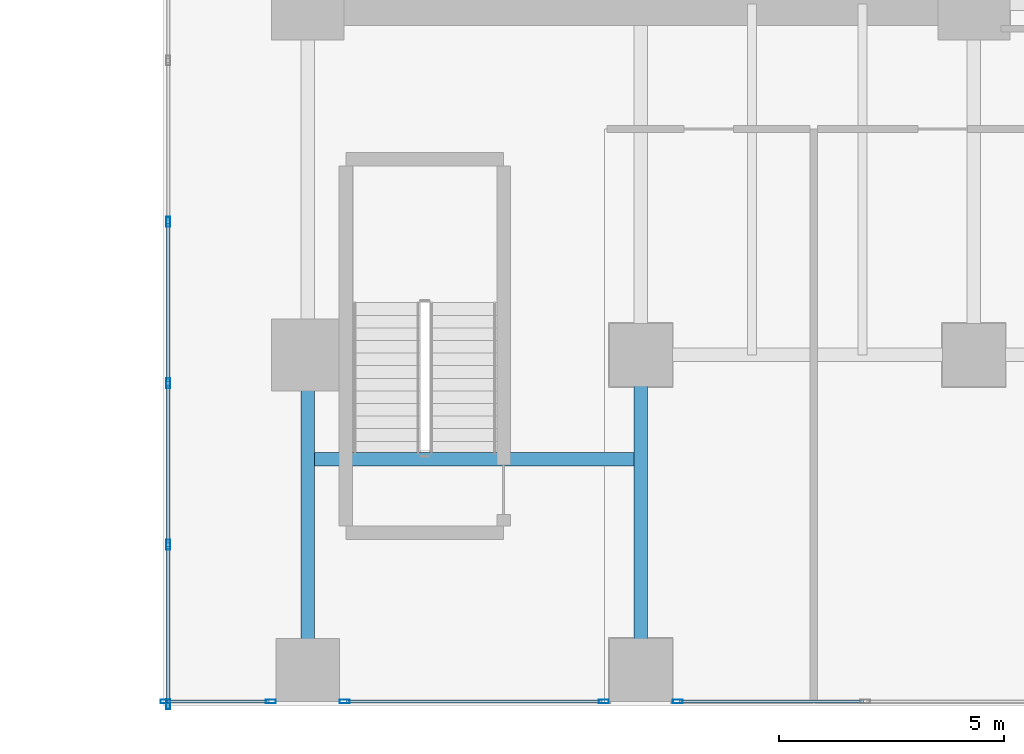
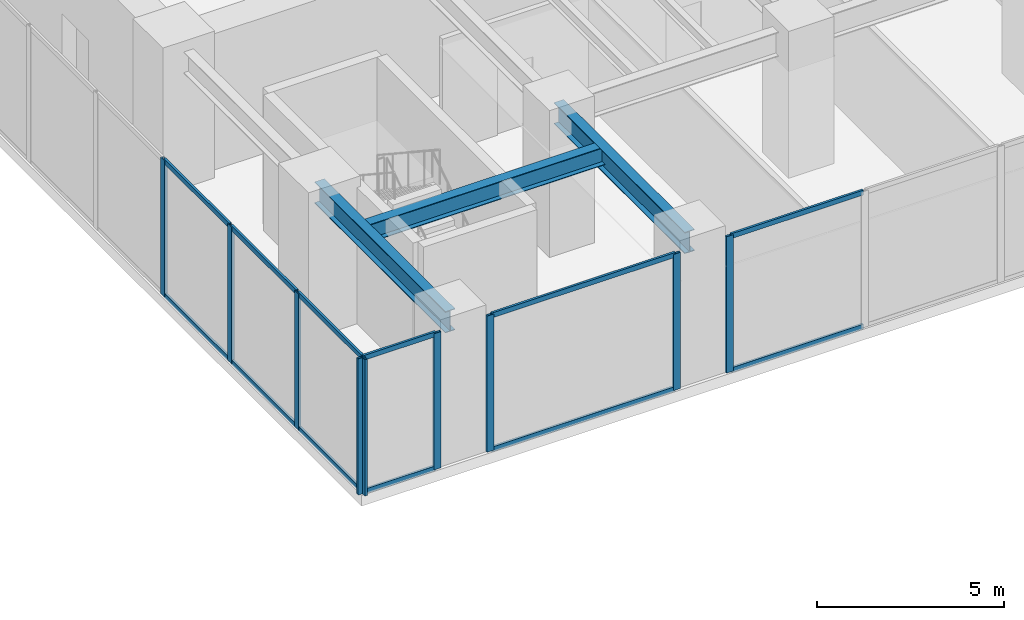
# One storey, part 8 of 33: 21 members, 3 beams, 4 elements without a shape of their own.
"""IFC4 building model written with IfcOpenShell, lengths in metres."""

from ifc_helpers import new_model, si_unit, direction, frame, origin, origin_2d, place, context, subcontext, project, spatial, hollow_rectangle, i_section, extrude, source, transform, mapped, material, layer, layer_set, material_profile, profile_set, type_object, type_shapes, element, aggregate, save


model = new_model("IFC4")

# Units and contexts
model_context = context("Model", 3, precision=1e-05, world=origin(), true_north=direction((0.0, 1.0)))
body_context = subcontext(model_context, "Body", "Model", "MODEL_VIEW")
ifc_project = project(units=[si_unit("LENGTHUNIT", "METRE"), si_unit("AREAUNIT", "SQUARE_METRE"), si_unit("VOLUMEUNIT", "CUBIC_METRE"), si_unit("PLANEANGLEUNIT", "RADIAN"), si_unit("MASSUNIT", "GRAM", prefix="KILO")], contexts=[model_context])

# Site, building, storey
site_placement = place(None, origin())
site = spatial("IfcSite", under=ifc_project, at=site_placement, CompositionType="ELEMENT")
building_placement = place(site_placement, origin())
building = spatial("IfcBuilding", under=site, at=building_placement, Name="Haelvirn Gate Laboratories", CompositionType="ELEMENT")
storey_placement = place(building_placement, frame((0.0, 0.0, 10.199951171875)))
storey = spatial("IfcBuildingStorey", under=building, at=storey_placement, Name="L03", CompositionType="ELEMENT", Elevation=10.199951171875)

# Beams
ifc_material_1 = material(Name="Steel SM355", Category="steel")
ifc_material_profile_1 = material_profile(ifc_material_1, i_section(OverallWidth=0.300048828125, OverallDepth=0.699951171875, WebThickness=0.012939453125, FlangeThickness=0.02392578125, at=origin_2d()), Name="H-700x300x13x24")
ifc_profile_set_1 = profile_set([ifc_material_profile_1], Name="Steel SM355")
beam_type_1 = type_object("IfcBeamType", Name="BM-G-700", PredefinedType="BEAM", material=ifc_profile_set_1)
shared_shape_1 = source(origin(), body_context, "Body", "SweptSolid", [
    extrude(i_section(OverallWidth=0.300048828125, OverallDepth=0.699951171875, WebThickness=0.012939453125, FlangeThickness=0.02392578125, at=origin_2d()), origin(), (0.0, 0.0, 1.0), 7.0),
])
type_shapes(beam_type_1, [shared_shape_1])
for number, where, z_axis, x_axis, name in (
    (1, (52.60009765625, 0.0, 4.10009765625), (0.0, 1.0, 0.0), (-1.0, 0.0, 0.0), "L03 Stair ST4 West Trimmer Girder"),
    (2, (60.0, 0.0, 4.10009765625), (0.0, 1.0, 0.0), (-1.0, 0.0, 0.0), "L03 Stair ST4 East Trimmer Girder"),
):
    element("IfcBeam", number, at=place(storey_placement, frame(where, z_axis=z_axis, x_axis=x_axis)), inside=storey, type_object=beam_type_1, Name=name, PredefinedType="BEAM", context=body_context, shape_type="MappedRepresentation", body=[
        mapped(shared_shape_1, transform((0.0, 0.0, 0.0), scale=1.0)),
    ])
ifc_material_profile_2 = material_profile(ifc_material_1, i_section(OverallWidth=0.300048828125, OverallDepth=0.587890625, WebThickness=0.011962890625, FlangeThickness=0.02001953125, at=origin_2d()), Name="H-588x300x12x20")
ifc_profile_set_2 = profile_set([ifc_material_profile_2], Name="Steel SM355")
beam_type_2 = type_object("IfcBeamType", Name="BM-G-588", PredefinedType="BEAM", material=ifc_profile_set_2)
shared_shape_2 = source(origin(), body_context, "Body", "SweptSolid", [
    extrude(i_section(OverallWidth=0.300048828125, OverallDepth=0.587890625, WebThickness=0.011962890625, FlangeThickness=0.02001953125, at=origin_2d()), origin(), (0.0, 0.0, 1.0), 7.39990234375),
])
type_shapes(beam_type_2, [shared_shape_2])
beam_placement = place(storey_placement, frame((52.60009765625, 4.679931640625, 4.156005859375), z_axis=(1.0, 0.0, 0.0), x_axis=(0.0, 1.0, 0.0)))
element("IfcBeam", 3, at=beam_placement, inside=storey, type_object=beam_type_2, Name="L03 Stair ST4 Landing Header", PredefinedType="BEAM", context=body_context, shape_type="MappedRepresentation", body=[
    mapped(shared_shape_2, transform((0.0, 0.0, 0.0), scale=1.0)),
])

# Curtain wall, members
ifc_material_2 = material(Name="Anodised bronze unitised aluminium & triple low-E glass", Category="aluminium")
ifc_layer = layer(ifc_material_2, 0.18798828125, Name="CW-SYS-1")
ifc_layer_set = layer_set([ifc_layer], Name="Anodised bronze unitised aluminium & triple low-E glass")
curtain_wall_type = type_object("IfcCurtainWallType", Name="CW-SYS-1", PredefinedType="NOTDEFINED", material=ifc_layer_set)
curtain_wall_1_placement = place(storey_placement, origin())
curtain_wall_1 = element("IfcCurtainWall", 4, at=curtain_wall_1_placement, inside=storey, type_object=curtain_wall_type, Name="L03 Unitised Curtain Wall CW-L03-P1-E07", PredefinedType="NOTDEFINED")
ifc_material_3 = material(Name="Extruded aluminium 6063-T6 (anodised bronze)", Category="aluminium")
ifc_material_profile_3 = material_profile(ifc_material_3, hollow_rectangle(XDim=0.070068359375, YDim=0.159912109375, WallThickness=0.0048828125, at=origin_2d()), Name="CWT-160x70x5")
ifc_profile_set_3 = profile_set([ifc_material_profile_3], Name="Extruded aluminium 6063-T6 (anodised bronze)")
member_type_1 = type_object("IfcMemberType", Name="CWT-T160", PredefinedType="USERDEFINED", material=ifc_profile_set_3)
shared_shape_3 = source(origin(), body_context, "Body", "SweptSolid", [
    extrude(hollow_rectangle(XDim=0.070068359375, YDim=0.159912109375, WallThickness=0.0048828125, at=origin_2d()), origin(), (0.0, 0.0, 1.0), 3.465576171875),
])
member_1_placement = place(storey_placement, frame((49.5, 2.74560546875, 0.03515625), z_axis=(0.0, -1.0, 0.0), x_axis=(1.0, 0.0, 0.0)))
member_1 = element("IfcMember", 5, at=member_1_placement, type_object=member_type_1, Name="CW1 transom 14.1", ObjectType="TRANSOM", PredefinedType="USERDEFINED", context=body_context, shape_type="MappedRepresentation", body=[
    mapped(shared_shape_3, transform((0.0, 0.0, 0.0), scale=1.0)),
])
member_2_placement = place(storey_placement, frame((49.5, 2.74560546875, 4.4150390625), z_axis=(0.0, -1.0, 0.0), x_axis=(1.0, 0.0, 0.0)))
member_2 = element("IfcMember", 6, at=member_2_placement, type_object=member_type_1, Name="CW1 transom 14.2", ObjectType="TRANSOM", PredefinedType="USERDEFINED", context=body_context, shape_type="MappedRepresentation", body=[
    mapped(shared_shape_3, transform((0.0, 0.0, 0.0), scale=1.0)),
])
shared_shape_4 = source(origin(), body_context, "Body", "SweptSolid", [
    extrude(hollow_rectangle(XDim=0.070068359375, YDim=0.159912109375, WallThickness=0.0048828125, at=origin_2d()), origin(), (0.0, 0.0, 1.0), 3.505859375),
])
member_3_placement = place(storey_placement, frame((49.5, 9.917236328125, 0.03515625), z_axis=(0.0, -1.0, 0.0), x_axis=(1.0, 0.0, 0.0)))
member_3 = element("IfcMember", 7, at=member_3_placement, type_object=member_type_1, Name="CW1 transom 12.1", ObjectType="TRANSOM", PredefinedType="USERDEFINED", context=body_context, shape_type="MappedRepresentation", body=[
    mapped(shared_shape_4, transform((0.0, 0.0, 0.0), scale=1.0)),
])
member_4_placement = place(storey_placement, frame((49.5, 9.917236328125, 4.4150390625), z_axis=(0.0, -1.0, 0.0), x_axis=(1.0, 0.0, 0.0)))
member_4 = element("IfcMember", 8, at=member_4_placement, type_object=member_type_1, Name="CW1 transom 12.2", ObjectType="TRANSOM", PredefinedType="USERDEFINED", context=body_context, shape_type="MappedRepresentation", body=[
    mapped(shared_shape_4, transform((0.0, 0.0, 0.0), scale=1.0)),
])
member_5_placement = place(storey_placement, frame((49.5, 6.33154296875, 0.03515625), z_axis=(0.0, -1.0, 0.0), x_axis=(1.0, 0.0, 0.0)))
member_5 = element("IfcMember", 9, at=member_5_placement, type_object=member_type_1, Name="CW1 transom 13.1", ObjectType="TRANSOM", PredefinedType="USERDEFINED", context=body_context, shape_type="MappedRepresentation", body=[
    mapped(shared_shape_4, transform((0.0, 0.0, 0.0), scale=1.0)),
])
member_6_placement = place(storey_placement, frame((49.5, 6.33154296875, 4.4150390625), z_axis=(0.0, -1.0, 0.0), x_axis=(1.0, 0.0, 0.0)))
member_6 = element("IfcMember", 10, at=member_6_placement, type_object=member_type_1, Name="CW1 transom 13.2", ObjectType="TRANSOM", PredefinedType="USERDEFINED", context=body_context, shape_type="MappedRepresentation", body=[
    mapped(shared_shape_4, transform((0.0, 0.0, 0.0), scale=1.0)),
])

curtain_wall_2_placement = place(storey_placement, origin())
curtain_wall_2 = element("IfcCurtainWall", 11, at=curtain_wall_2_placement, inside=storey, type_object=curtain_wall_type, Name="L03 Unitised Curtain Wall CW-L03-P1-E00-1-S1", PredefinedType="NOTDEFINED")
shared_shape_5 = source(origin(), body_context, "Body", "SweptSolid", [
    extrude(hollow_rectangle(XDim=0.070068359375, YDim=0.159912109375, WallThickness=0.0048828125, at=origin_2d()), origin(), (0.0, 0.0, 1.0), 2.260009765625),
])
member_7_placement = place(storey_placement, frame((49.47998046875, -0.699951171875, 0.03515625), z_axis=(1.0, 0.0, 0.0), x_axis=(0.0, 1.0, 0.0)))
member_7 = element("IfcMember", 12, at=member_7_placement, type_object=member_type_1, Name="CW1 transom 1.1", ObjectType="TRANSOM", PredefinedType="USERDEFINED", context=body_context, shape_type="MappedRepresentation", body=[
    mapped(shared_shape_5, transform((0.0, 0.0, 0.0), scale=1.0)),
])
member_8_placement = place(storey_placement, frame((49.47998046875, -0.699951171875, 4.4150390625), z_axis=(1.0, 0.0, 0.0), x_axis=(0.0, 1.0, 0.0)))
member_8 = element("IfcMember", 13, at=member_8_placement, type_object=member_type_1, Name="CW1 transom 1.2", ObjectType="TRANSOM", PredefinedType="USERDEFINED", context=body_context, shape_type="MappedRepresentation", body=[
    mapped(shared_shape_5, transform((0.0, 0.0, 0.0), scale=1.0)),
])

curtain_wall_3_placement = place(storey_placement, origin())
curtain_wall_3 = element("IfcCurtainWall", 14, at=curtain_wall_3_placement, inside=storey, type_object=curtain_wall_type, Name="L03 Unitised Curtain Wall CW-L03-P1-E00-1-S2", PredefinedType="NOTDEFINED")
shared_shape_6 = source(origin(), body_context, "Body", "SweptSolid", [
    extrude(hollow_rectangle(XDim=0.070068359375, YDim=0.159912109375, WallThickness=0.0048828125, at=origin_2d()), origin(), (0.0, 0.0, 1.0), 5.679931640625),
])
member_9_placement = place(storey_placement, frame((53.4599609375, -0.699951171875, 0.03515625), z_axis=(1.0, 0.0, 0.0), x_axis=(0.0, 1.0, 0.0)))
member_9 = element("IfcMember", 15, at=member_9_placement, type_object=member_type_1, Name="CW1 transom 1.1", ObjectType="TRANSOM", PredefinedType="USERDEFINED", context=body_context, shape_type="MappedRepresentation", body=[
    mapped(shared_shape_6, transform((0.0, 0.0, 0.0), scale=1.0)),
])
member_10_placement = place(storey_placement, frame((53.4599609375, -0.699951171875, 4.4150390625), z_axis=(1.0, 0.0, 0.0), x_axis=(0.0, 1.0, 0.0)))
member_10 = element("IfcMember", 16, at=member_10_placement, type_object=member_type_1, Name="CW1 transom 1.2", ObjectType="TRANSOM", PredefinedType="USERDEFINED", context=body_context, shape_type="MappedRepresentation", body=[
    mapped(shared_shape_6, transform((0.0, 0.0, 0.0), scale=1.0)),
])

curtain_wall_4_placement = place(storey_placement, origin())
curtain_wall_4 = element("IfcCurtainWall", 17, at=curtain_wall_4_placement, inside=storey, type_object=curtain_wall_type, Name="L03 Unitised Curtain Wall CW-L03-P1-E00-1-S3", PredefinedType="NOTDEFINED")
shared_shape_7 = source(origin(), body_context, "Body", "SweptSolid", [
    extrude(hollow_rectangle(XDim=0.070068359375, YDim=0.159912109375, WallThickness=0.0048828125, at=origin_2d()), origin(), (0.0, 0.0, 1.0), 4.086669921875),
])
type_shapes(member_type_1, [shared_shape_3, shared_shape_4, shared_shape_5, shared_shape_6, shared_shape_7])
member_11_placement = place(storey_placement, frame((60.860107421875, -0.699951171875, 0.03515625), z_axis=(1.0, 0.0, 0.0), x_axis=(0.0, 1.0, 0.0)))
member_11 = element("IfcMember", 18, at=member_11_placement, type_object=member_type_1, Name="CW1 transom 1.1", ObjectType="TRANSOM", PredefinedType="USERDEFINED", context=body_context, shape_type="MappedRepresentation", body=[
    mapped(shared_shape_7, transform((0.0, 0.0, 0.0), scale=1.0)),
])
member_12_placement = place(storey_placement, frame((60.860107421875, -0.699951171875, 4.4150390625), z_axis=(1.0, 0.0, 0.0), x_axis=(0.0, 1.0, 0.0)))
member_12 = element("IfcMember", 19, at=member_12_placement, type_object=member_type_1, Name="CW1 transom 1.2", ObjectType="TRANSOM", PredefinedType="USERDEFINED", context=body_context, shape_type="MappedRepresentation", body=[
    mapped(shared_shape_7, transform((0.0, 0.0, 0.0), scale=1.0)),
])

# Member
ifc_material_profile_4 = material_profile(ifc_material_3, hollow_rectangle(XDim=0.080078125, YDim=0.219970703125, WallThickness=0.006103515625, at=origin_2d()), Name="CWM-220x80x6")
ifc_profile_set_4 = profile_set([ifc_material_profile_4], Name="Extruded aluminium 6063-T6 (anodised bronze)")
member_type_2 = type_object("IfcMemberType", Name="CWM-T220", PredefinedType="MULLION", material=ifc_profile_set_4)
shared_shape_8 = source(origin(), body_context, "Body", "SweptSolid", [
    extrude(hollow_rectangle(XDim=0.080078125, YDim=0.219970703125, WallThickness=0.006103515625, at=origin_2d()), origin(), (0.0, 0.0, 1.0), 4.449951171875),
])
type_shapes(member_type_2, [shared_shape_8])
member_13_placement = place(storey_placement, frame((49.43994140625, -0.699951171875, 0.0), z_axis=(0.0, 0.0, 1.0), x_axis=(0.0, 1.0, 0.0)))
member_13 = element("IfcMember", 20, at=member_13_placement, type_object=member_type_2, Name="CW1 mullion 1", PredefinedType="MULLION", context=body_context, shape_type="MappedRepresentation", body=[
    mapped(shared_shape_8, transform((0.0, 0.0, 0.0), scale=1.0)),
])

member_14_placement = place(storey_placement, frame((51.780029296875, -0.699951171875, 0.0), z_axis=(0.0, 0.0, 1.0), x_axis=(0.0, 1.0, 0.0)))
member_14 = element("IfcMember", 21, at=member_14_placement, type_object=member_type_2, Name="CW1 mullion 2", PredefinedType="MULLION", context=body_context, shape_type="MappedRepresentation", body=[
    mapped(shared_shape_8, transform((0.0, 0.0, 0.0), scale=1.0)),
])

aggregate(curtain_wall_2, [member_13, member_14, member_7, member_8])

member_15_placement = place(storey_placement, frame((53.419921875, -0.699951171875, 0.0), z_axis=(0.0, 0.0, 1.0), x_axis=(0.0, 1.0, 0.0)))
member_15 = element("IfcMember", 22, at=member_15_placement, type_object=member_type_2, Name="CW1 mullion 1", PredefinedType="MULLION", context=body_context, shape_type="MappedRepresentation", body=[
    mapped(shared_shape_8, transform((0.0, 0.0, 0.0), scale=1.0)),
])

member_16_placement = place(storey_placement, frame((59.179931640625, -0.699951171875, 0.0), z_axis=(0.0, 0.0, 1.0), x_axis=(0.0, 1.0, 0.0)))
member_16 = element("IfcMember", 23, at=member_16_placement, type_object=member_type_2, Name="CW1 mullion 2", PredefinedType="MULLION", context=body_context, shape_type="MappedRepresentation", body=[
    mapped(shared_shape_8, transform((0.0, 0.0, 0.0), scale=1.0)),
])

aggregate(curtain_wall_3, [member_15, member_16, member_9, member_10])

member_17_placement = place(storey_placement, frame((60.820068359375, -0.699951171875, 0.0), z_axis=(0.0, 0.0, 1.0), x_axis=(0.0, 1.0, 0.0)))
member_17 = element("IfcMember", 24, at=member_17_placement, type_object=member_type_2, Name="CW1 mullion 1", PredefinedType="MULLION", context=body_context, shape_type="MappedRepresentation", body=[
    mapped(shared_shape_8, transform((0.0, 0.0, 0.0), scale=1.0)),
])

aggregate(curtain_wall_4, [member_17, member_11, member_12])

member_18_placement = place(storey_placement, frame((49.5, 9.95703125, 0.0), z_axis=(0.0, 0.0, 1.0), x_axis=(1.0, 0.0, 0.0)))
member_18 = element("IfcMember", 25, at=member_18_placement, type_object=member_type_2, Name="CW1 mullion 12", PredefinedType="MULLION", context=body_context, shape_type="MappedRepresentation", body=[
    mapped(shared_shape_8, transform((0.0, 0.0, 0.0), scale=1.0)),
])

member_19_placement = place(storey_placement, frame((49.5, 6.371337890625, 0.0), z_axis=(0.0, 0.0, 1.0), x_axis=(1.0, 0.0, 0.0)))
member_19 = element("IfcMember", 26, at=member_19_placement, type_object=member_type_2, Name="CW1 mullion 13", PredefinedType="MULLION", context=body_context, shape_type="MappedRepresentation", body=[
    mapped(shared_shape_8, transform((0.0, 0.0, 0.0), scale=1.0)),
])

member_20_placement = place(storey_placement, frame((49.5, 2.78564453125, 0.0), z_axis=(0.0, 0.0, 1.0), x_axis=(1.0, 0.0, 0.0)))
member_20 = element("IfcMember", 27, at=member_20_placement, type_object=member_type_2, Name="CW1 mullion 14", PredefinedType="MULLION", context=body_context, shape_type="MappedRepresentation", body=[
    mapped(shared_shape_8, transform((0.0, 0.0, 0.0), scale=1.0)),
])

member_21_placement = place(storey_placement, frame((49.5, -0.760009765625, 0.0), z_axis=(0.0, 0.0, 1.0), x_axis=(1.0, 0.0, 0.0)))
member_21 = element("IfcMember", 28, at=member_21_placement, type_object=member_type_2, Name="CW1 mullion 15", PredefinedType="MULLION", context=body_context, shape_type="MappedRepresentation", body=[
    mapped(shared_shape_8, transform((0.0, 0.0, 0.0), scale=1.0)),
])

aggregate(curtain_wall_1, [member_18, member_19, member_20, member_21, member_3, member_4, member_5, member_6, member_1, member_2])

save(model, "model.ifc")
